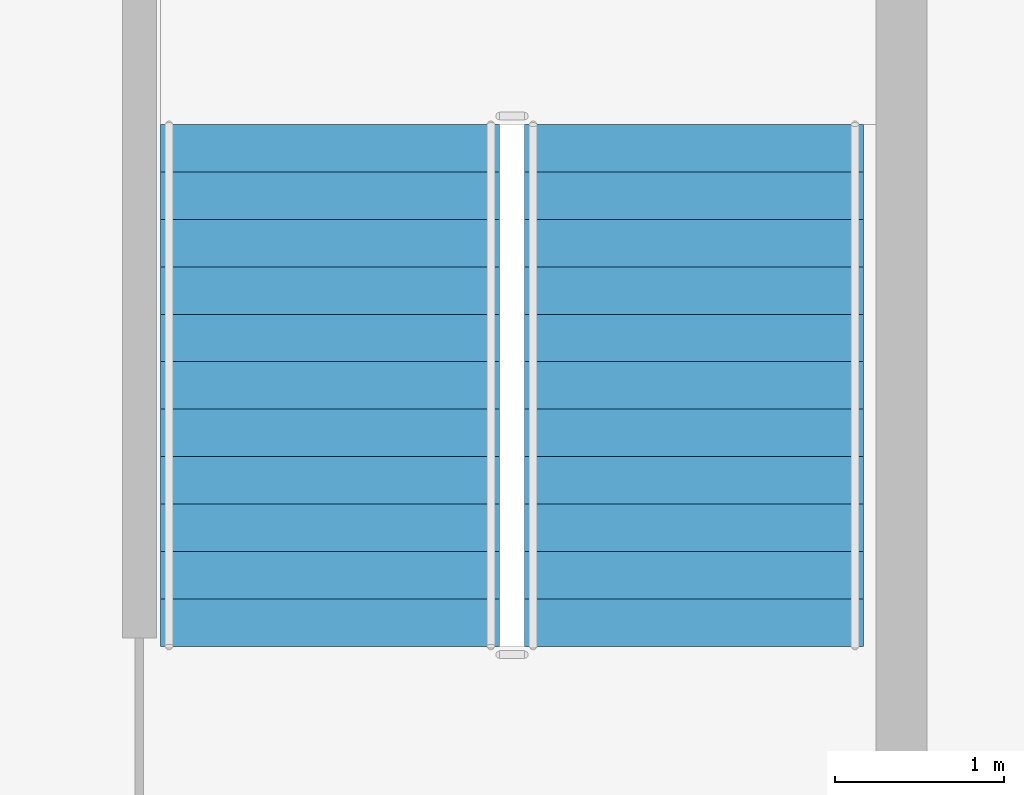
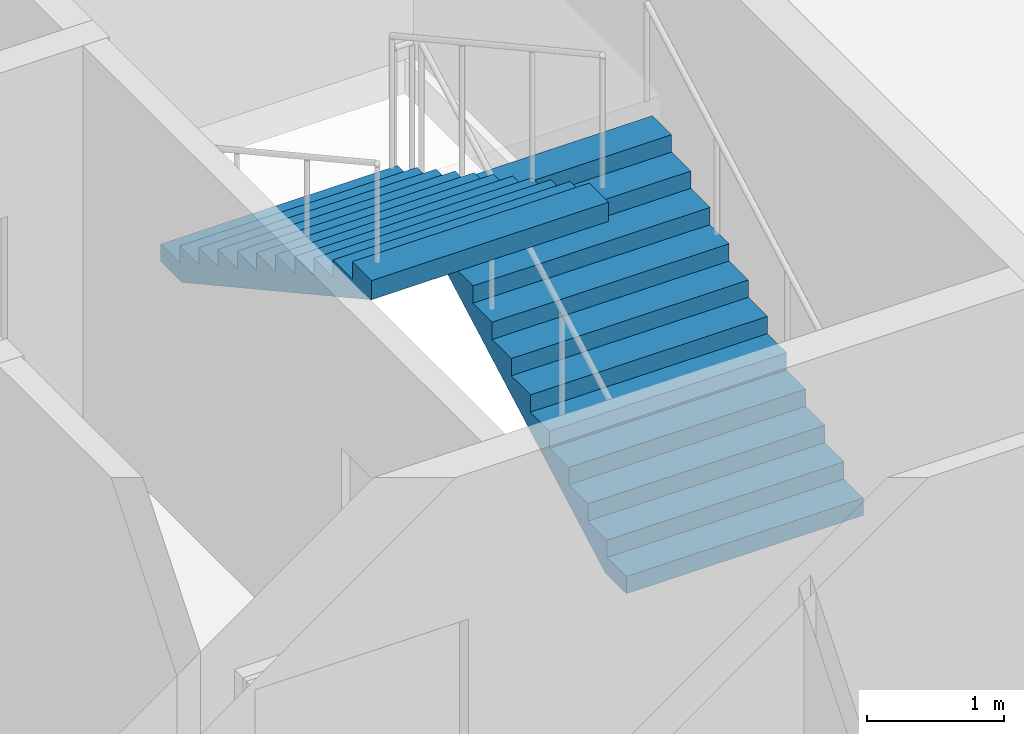
# One storey, part 10 of 12: 2 stair flights, 1 element without a shape of its own.
"""IFC4 building model written with IfcOpenShell, lengths in metres."""

from ifc_helpers import new_model, si_unit, direction, frame, origin, place, context, subcontext, project, spatial, polygons, material, type_object, element, aggregate, save


model = new_model("IFC4")

# Units and contexts
model_context = context("Model", 3, precision=1e-05, world=origin(), true_north=direction((0.0, 1.0)))
body_context = subcontext(model_context, "Body", "Model", "MODEL_VIEW")
ifc_project = project(units=[si_unit("LENGTHUNIT", "METRE"), si_unit("AREAUNIT", "SQUARE_METRE"), si_unit("VOLUMEUNIT", "CUBIC_METRE"), si_unit("PLANEANGLEUNIT", "RADIAN"), si_unit("MASSUNIT", "GRAM", prefix="KILO")], contexts=[model_context])

# Site, building, storey
site_placement = place(None, origin())
site = spatial("IfcSite", under=ifc_project, at=site_placement, CompositionType="ELEMENT")
building_placement = place(site_placement, origin())
building = spatial("IfcBuilding", under=site, at=building_placement, Name="Caravel Reach Hotel and Residences", CompositionType="ELEMENT")
storey_placement = place(building_placement, frame((0.0, 0.0, 199.800048828125)))
storey = spatial("IfcBuildingStorey", under=building, at=storey_placement, Name="L50", CompositionType="ELEMENT", Elevation=199.800048828125)

# Stair, stair flights
ifc_material_1 = material(Name="Concrete C40", Category="concrete")
stair_type = type_object("IfcStairType", Name="Core stair", PredefinedType="HALF_TURN_STAIR", material=ifc_material_1)
stair_placement = place(storey_placement, origin())
stair = element("IfcStair", 1, at=stair_placement, inside=storey, type_object=stair_type, Name="L50 Exit stair B", PredefinedType="HALF_TURN_STAIR")
ifc_material_2 = material(Name="Concrete C40", Category="concrete")
stair_flight_type = type_object("IfcStairFlightType", Name="Core stair flight", PredefinedType="STRAIGHT", material=ifc_material_2)
stair_flight_1_placement = place(storey_placement, frame((43.77490234375, 24.64990234375, 0.0), z_axis=(0.0, 0.0, 1.0), x_axis=(0.0, 1.0, 0.0)))
stair_flight_1 = element("IfcStairFlight", 2, at=stair_flight_1_placement, type_object=stair_flight_type, Name="ST-B flight 1", NumberOfRisers=12, NumberOfTreads=11, PredefinedType="STRAIGHT", RiserHeight=0.154166667, TreadLength=0.28, context=body_context, shape_type="Tessellation", body=[
    polygons([(0.3107950034306102, 1.0, 0.0), (0.3107950034306102, 0.6666666666666667, 0.0), (0.3107950034306102, 0.33333333333333337, 0.0), (0.3107950034306102, 0.0, 0.0), (0.3107950034306102, -0.33333333333333326, 0.0), (0.3107950034306102, -0.6666666666666667, 0.0), (0.3107950034306102, -1.0, 0.0), (3.081, 1.0, 1.524711087717319), (3.081, 0.6666666666666667, 1.524711087717319), (3.081, 0.33333333333333337, 1.524711087717319), (3.081, 0.0, 1.524711087717319), (3.081, -0.33333333333333326, 1.524711087717319), (3.081, -0.6666666666666667, 1.524711087717319), (3.081, -1.0, 1.524711087717319), (3.081, 1.0, 1.695833337), (3.081, 0.6666666666666667, 1.695833337), (3.081, 0.33333333333333337, 1.695833337), (3.081, 0.0, 1.695833337), (3.081, -0.33333333333333326, 1.695833337), (3.081, -0.6666666666666667, 1.695833337), (3.081, -1.0, 1.695833337), (2.8000000000000003, 1.0, 1.695833337), (2.8000000000000003, 0.6666666666666667, 1.695833337), (2.8000000000000003, 0.33333333333333337, 1.695833337), (2.8000000000000003, 0.0, 1.695833337), (2.8000000000000003, -0.33333333333333326, 1.695833337), (2.8000000000000003, -0.6666666666666667, 1.695833337), (2.8000000000000003, -1.0, 1.695833337), (2.8000000000000003, 1.0, 1.5416666700000001), (2.8000000000000003, 0.6666666666666667, 1.5416666700000001), (2.8000000000000003, 0.33333333333333337, 1.5416666700000001), (2.8000000000000003, 0.0, 1.5416666700000001), (2.8000000000000003, -0.33333333333333326, 1.5416666700000001), (2.8000000000000003, -0.6666666666666667, 1.5416666700000001), (2.8000000000000003, -1.0, 1.5416666700000001), (2.5200000000000005, 1.0, 1.5416666700000001), (2.5200000000000005, 0.6666666666666667, 1.5416666700000001), (2.5200000000000005, 0.33333333333333337, 1.5416666700000001), (2.5200000000000005, 0.0, 1.5416666700000001), (2.5200000000000005, -0.33333333333333326, 1.5416666700000001), (2.5200000000000005, -0.6666666666666667, 1.5416666700000001), (2.5200000000000005, -1.0, 1.5416666700000001), (2.5200000000000005, 1.0, 1.387500003), (2.5200000000000005, 0.6666666666666667, 1.387500003), (2.5200000000000005, 0.33333333333333337, 1.387500003), (2.5200000000000005, 0.0, 1.387500003), (2.5200000000000005, -0.33333333333333326, 1.387500003), (2.5200000000000005, -0.6666666666666667, 1.387500003), (2.5200000000000005, -1.0, 1.387500003), (2.24, 1.0, 1.387500003), (2.24, 0.6666666666666667, 1.387500003), (2.24, 0.33333333333333337, 1.387500003), (2.24, 0.0, 1.387500003), (2.24, -0.33333333333333326, 1.387500003), (2.24, -0.6666666666666667, 1.387500003), (2.24, -1.0, 1.387500003), (2.24, 1.0, 1.233333336), (2.24, 0.6666666666666667, 1.233333336), (2.24, 0.33333333333333337, 1.233333336), (2.24, 0.0, 1.233333336), (2.24, -0.33333333333333326, 1.233333336), (2.24, -0.6666666666666667, 1.233333336), (2.24, -1.0, 1.233333336), (1.9600000000000002, 1.0, 1.233333336), (1.9600000000000002, 0.6666666666666667, 1.233333336), (1.9600000000000002, 0.33333333333333337, 1.233333336), (1.9600000000000002, 0.0, 1.233333336), (1.9600000000000002, -0.33333333333333326, 1.233333336), (1.9600000000000002, -0.6666666666666667, 1.233333336), (1.9600000000000002, -1.0, 1.233333336), (1.9600000000000002, 1.0, 1.0791666690000001), (1.9600000000000002, 0.6666666666666667, 1.0791666690000001), (1.9600000000000002, 0.33333333333333337, 1.0791666690000001), (1.9600000000000002, 0.0, 1.0791666690000001), (1.9600000000000002, -0.33333333333333326, 1.0791666690000001), (1.9600000000000002, -0.6666666666666667, 1.0791666690000001), (1.9600000000000002, -1.0, 1.0791666690000001), (1.6800000000000002, 1.0, 1.0791666690000001), (1.6800000000000002, 0.6666666666666667, 1.0791666690000001), (1.6800000000000002, 0.33333333333333337, 1.0791666690000001), (1.6800000000000002, 0.0, 1.0791666690000001), (1.6800000000000002, -0.33333333333333326, 1.0791666690000001), (1.6800000000000002, -0.6666666666666667, 1.0791666690000001), (1.6800000000000002, -1.0, 1.0791666690000001), (1.6800000000000002, 1.0, 0.925000002), (1.6800000000000002, 0.6666666666666667, 0.925000002), (1.6800000000000002, 0.33333333333333337, 0.925000002), (1.6800000000000002, 0.0, 0.925000002), (1.6800000000000002, -0.33333333333333326, 0.925000002), (1.6800000000000002, -0.6666666666666667, 0.925000002), (1.6800000000000002, -1.0, 0.925000002), (1.4000000000000001, 1.0, 0.925000002), (1.4000000000000001, 0.6666666666666667, 0.925000002), (1.4000000000000001, 0.33333333333333337, 0.925000002), (1.4000000000000001, 0.0, 0.925000002), (1.4000000000000001, -0.33333333333333326, 0.925000002), (1.4000000000000001, -0.6666666666666667, 0.925000002), (1.4000000000000001, -1.0, 0.925000002), (1.4000000000000001, 1.0, 0.7708333350000001), (1.4000000000000001, 0.6666666666666667, 0.7708333350000001), (1.4000000000000001, 0.33333333333333337, 0.7708333350000001), (1.4000000000000001, 0.0, 0.7708333350000001), (1.4000000000000001, -0.33333333333333326, 0.7708333350000001), (1.4000000000000001, -0.6666666666666667, 0.7708333350000001), (1.4000000000000001, -1.0, 0.7708333350000001), (1.12, 1.0, 0.7708333350000001), (1.12, 0.6666666666666667, 0.7708333350000001), (1.12, 0.33333333333333337, 0.7708333350000001), (1.12, 0.0, 0.7708333350000001), (1.12, -0.33333333333333326, 0.7708333350000001), (1.12, -0.6666666666666667, 0.7708333350000001), (1.12, -1.0, 0.7708333350000001), (1.12, 1.0, 0.616666668), (1.12, 0.6666666666666667, 0.616666668), (1.12, 0.33333333333333337, 0.616666668), (1.12, 0.0, 0.616666668), (1.12, -0.33333333333333326, 0.616666668), (1.12, -0.6666666666666667, 0.616666668), (1.12, -1.0, 0.616666668), (0.8400000000000001, 1.0, 0.616666668), (0.8400000000000001, 0.6666666666666667, 0.616666668), (0.8400000000000001, 0.33333333333333337, 0.616666668), (0.8400000000000001, 0.0, 0.616666668), (0.8400000000000001, -0.33333333333333326, 0.616666668), (0.8400000000000001, -0.6666666666666667, 0.616666668), (0.8400000000000001, -1.0, 0.616666668), (0.8400000000000001, 1.0, 0.462500001), (0.8400000000000001, 0.6666666666666667, 0.462500001), (0.8400000000000001, 0.33333333333333337, 0.462500001), (0.8400000000000001, 0.0, 0.462500001), (0.8400000000000001, -0.33333333333333326, 0.462500001), (0.8400000000000001, -0.6666666666666667, 0.462500001), (0.8400000000000001, -1.0, 0.462500001), (0.56, 1.0, 0.462500001), (0.56, 0.6666666666666667, 0.462500001), (0.56, 0.33333333333333337, 0.462500001), (0.56, 0.0, 0.462500001), (0.56, -0.33333333333333326, 0.462500001), (0.56, -0.6666666666666667, 0.462500001), (0.56, -1.0, 0.462500001), (0.56, 1.0, 0.308333334), (0.56, 0.6666666666666667, 0.308333334), (0.56, 0.33333333333333337, 0.308333334), (0.56, 0.0, 0.308333334), (0.56, -0.33333333333333326, 0.308333334), (0.56, -0.6666666666666667, 0.308333334), (0.56, -1.0, 0.308333334), (0.28, 1.0, 0.308333334), (0.28, 0.6666666666666667, 0.308333334), (0.28, 0.33333333333333337, 0.308333334), (0.28, 0.0, 0.308333334), (0.28, -0.33333333333333326, 0.308333334), (0.28, -0.6666666666666667, 0.308333334), (0.28, -1.0, 0.308333334), (0.28, 1.0, 0.154166667), (0.28, 0.6666666666666667, 0.154166667), (0.28, 0.33333333333333337, 0.154166667), (0.28, 0.0, 0.154166667), (0.28, -0.33333333333333326, 0.154166667), (0.28, -0.6666666666666667, 0.154166667), (0.28, -1.0, 0.154166667), (-0.001, 1.0, 0.154166667), (-0.001, 0.6666666666666667, 0.154166667), (-0.001, 0.33333333333333337, 0.154166667), (-0.001, 0.0, 0.154166667), (-0.001, -0.33333333333333326, 0.154166667), (-0.001, -0.6666666666666667, 0.154166667), (-0.001, -1.0, 0.154166667), (-0.001, 1.0, 0.0), (-0.001, 0.6666666666666667, 0.0), (-0.001, 0.33333333333333337, 0.0), (-0.001, 0.0, 0.0), (-0.001, -0.33333333333333326, 0.0), (-0.001, -0.6666666666666667, 0.0), (-0.001, -1.0, 0.0)], [[[169, 162, 155, 148, 141, 134, 127, 120, 113, 106, 99, 92, 85, 78, 71, 64, 57, 50, 43, 36, 29, 22, 15, 8, 1]], [[7, 14, 21, 28, 35, 42, 49, 56, 63, 70, 77, 84, 91, 98, 105, 112, 119, 126, 133, 140, 147, 154, 161, 168, 175]], [[1, 8, 9, 2]], [[2, 9, 10, 3]], [[3, 10, 11, 4]], [[4, 11, 12, 5]], [[5, 12, 13, 6]], [[6, 13, 14, 7]], [[8, 15, 16, 9]], [[9, 16, 17, 10]], [[10, 17, 18, 11]], [[11, 18, 19, 12]], [[12, 19, 20, 13]], [[13, 20, 21, 14]], [[15, 22, 23, 16]], [[16, 23, 24, 17]], [[17, 24, 25, 18]], [[18, 25, 26, 19]], [[19, 26, 27, 20]], [[20, 27, 28, 21]], [[22, 29, 30, 23]], [[23, 30, 31, 24]], [[24, 31, 32, 25]], [[25, 32, 33, 26]], [[26, 33, 34, 27]], [[27, 34, 35, 28]], [[29, 36, 37, 30]], [[30, 37, 38, 31]], [[31, 38, 39, 32]], [[32, 39, 40, 33]], [[33, 40, 41, 34]], [[34, 41, 42, 35]], [[36, 43, 44, 37]], [[37, 44, 45, 38]], [[38, 45, 46, 39]], [[39, 46, 47, 40]], [[40, 47, 48, 41]], [[41, 48, 49, 42]], [[43, 50, 51, 44]], [[44, 51, 52, 45]], [[45, 52, 53, 46]], [[46, 53, 54, 47]], [[47, 54, 55, 48]], [[48, 55, 56, 49]], [[50, 57, 58, 51]], [[51, 58, 59, 52]], [[52, 59, 60, 53]], [[53, 60, 61, 54]], [[54, 61, 62, 55]], [[55, 62, 63, 56]], [[57, 64, 65, 58]], [[58, 65, 66, 59]], [[59, 66, 67, 60]], [[60, 67, 68, 61]], [[61, 68, 69, 62]], [[62, 69, 70, 63]], [[64, 71, 72, 65]], [[65, 72, 73, 66]], [[66, 73, 74, 67]], [[67, 74, 75, 68]], [[68, 75, 76, 69]], [[69, 76, 77, 70]], [[71, 78, 79, 72]], [[72, 79, 80, 73]], [[73, 80, 81, 74]], [[74, 81, 82, 75]], [[75, 82, 83, 76]], [[76, 83, 84, 77]], [[78, 85, 86, 79]], [[79, 86, 87, 80]], [[80, 87, 88, 81]], [[81, 88, 89, 82]], [[82, 89, 90, 83]], [[83, 90, 91, 84]], [[85, 92, 93, 86]], [[86, 93, 94, 87]], [[87, 94, 95, 88]], [[88, 95, 96, 89]], [[89, 96, 97, 90]], [[90, 97, 98, 91]], [[92, 99, 100, 93]], [[93, 100, 101, 94]], [[94, 101, 102, 95]], [[95, 102, 103, 96]], [[96, 103, 104, 97]], [[97, 104, 105, 98]], [[99, 106, 107, 100]], [[100, 107, 108, 101]], [[101, 108, 109, 102]], [[102, 109, 110, 103]], [[103, 110, 111, 104]], [[104, 111, 112, 105]], [[106, 113, 114, 107]], [[107, 114, 115, 108]], [[108, 115, 116, 109]], [[109, 116, 117, 110]], [[110, 117, 118, 111]], [[111, 118, 119, 112]], [[113, 120, 121, 114]], [[114, 121, 122, 115]], [[115, 122, 123, 116]], [[116, 123, 124, 117]], [[117, 124, 125, 118]], [[118, 125, 126, 119]], [[120, 127, 128, 121]], [[121, 128, 129, 122]], [[122, 129, 130, 123]], [[123, 130, 131, 124]], [[124, 131, 132, 125]], [[125, 132, 133, 126]], [[127, 134, 135, 128]], [[128, 135, 136, 129]], [[129, 136, 137, 130]], [[130, 137, 138, 131]], [[131, 138, 139, 132]], [[132, 139, 140, 133]], [[134, 141, 142, 135]], [[135, 142, 143, 136]], [[136, 143, 144, 137]], [[137, 144, 145, 138]], [[138, 145, 146, 139]], [[139, 146, 147, 140]], [[141, 148, 149, 142]], [[142, 149, 150, 143]], [[143, 150, 151, 144]], [[144, 151, 152, 145]], [[145, 152, 153, 146]], [[146, 153, 154, 147]], [[148, 155, 156, 149]], [[149, 156, 157, 150]], [[150, 157, 158, 151]], [[151, 158, 159, 152]], [[152, 159, 160, 153]], [[153, 160, 161, 154]], [[155, 162, 163, 156]], [[156, 163, 164, 157]], [[157, 164, 165, 158]], [[158, 165, 166, 159]], [[159, 166, 167, 160]], [[160, 167, 168, 161]], [[162, 169, 170, 163]], [[163, 170, 171, 164]], [[164, 171, 172, 165]], [[165, 172, 173, 166]], [[166, 173, 174, 167]], [[167, 174, 175, 168]], [[169, 1, 2, 170]], [[170, 2, 3, 171]], [[171, 3, 4, 172]], [[172, 4, 5, 173]], [[173, 5, 6, 174]], [[174, 6, 7, 175]]], closed=True),
])
stair_flight_2_placement = place(storey_placement, frame((41.625, 27.72998046875, 1.849853515625), z_axis=(0.0, 0.0, 1.0), x_axis=(0.0, -1.0, 0.0)))
stair_flight_2 = element("IfcStairFlight", 3, at=stair_flight_2_placement, type_object=stair_flight_type, Name="ST-B flight 2", NumberOfRisers=12, NumberOfTreads=11, PredefinedType="STRAIGHT", RiserHeight=0.154166667, TreadLength=0.28, context=body_context, shape_type="Tessellation", body=[
    polygons([(0.3107950034306102, 1.0, 0.0), (0.3107950034306102, 0.6666666666666667, 0.0), (0.3107950034306102, 0.33333333333333337, 0.0), (0.3107950034306102, 0.0, 0.0), (0.3107950034306102, -0.33333333333333326, 0.0), (0.3107950034306102, -0.6666666666666667, 0.0), (0.3107950034306102, -1.0, 0.0), (3.081, 1.0, 1.524711087717319), (3.081, 0.6666666666666667, 1.524711087717319), (3.081, 0.33333333333333337, 1.524711087717319), (3.081, 0.0, 1.524711087717319), (3.081, -0.33333333333333326, 1.524711087717319), (3.081, -0.6666666666666667, 1.524711087717319), (3.081, -1.0, 1.524711087717319), (3.081, 1.0, 1.695833337), (3.081, 0.6666666666666667, 1.695833337), (3.081, 0.33333333333333337, 1.695833337), (3.081, 0.0, 1.695833337), (3.081, -0.33333333333333326, 1.695833337), (3.081, -0.6666666666666667, 1.695833337), (3.081, -1.0, 1.695833337), (2.8000000000000003, 1.0, 1.695833337), (2.8000000000000003, 0.6666666666666667, 1.695833337), (2.8000000000000003, 0.33333333333333337, 1.695833337), (2.8000000000000003, 0.0, 1.695833337), (2.8000000000000003, -0.33333333333333326, 1.695833337), (2.8000000000000003, -0.6666666666666667, 1.695833337), (2.8000000000000003, -1.0, 1.695833337), (2.8000000000000003, 1.0, 1.5416666700000001), (2.8000000000000003, 0.6666666666666667, 1.5416666700000001), (2.8000000000000003, 0.33333333333333337, 1.5416666700000001), (2.8000000000000003, 0.0, 1.5416666700000001), (2.8000000000000003, -0.33333333333333326, 1.5416666700000001), (2.8000000000000003, -0.6666666666666667, 1.5416666700000001), (2.8000000000000003, -1.0, 1.5416666700000001), (2.5200000000000005, 1.0, 1.5416666700000001), (2.5200000000000005, 0.6666666666666667, 1.5416666700000001), (2.5200000000000005, 0.33333333333333337, 1.5416666700000001), (2.5200000000000005, 0.0, 1.5416666700000001), (2.5200000000000005, -0.33333333333333326, 1.5416666700000001), (2.5200000000000005, -0.6666666666666667, 1.5416666700000001), (2.5200000000000005, -1.0, 1.5416666700000001), (2.5200000000000005, 1.0, 1.387500003), (2.5200000000000005, 0.6666666666666667, 1.387500003), (2.5200000000000005, 0.33333333333333337, 1.387500003), (2.5200000000000005, 0.0, 1.387500003), (2.5200000000000005, -0.33333333333333326, 1.387500003), (2.5200000000000005, -0.6666666666666667, 1.387500003), (2.5200000000000005, -1.0, 1.387500003), (2.24, 1.0, 1.387500003), (2.24, 0.6666666666666667, 1.387500003), (2.24, 0.33333333333333337, 1.387500003), (2.24, 0.0, 1.387500003), (2.24, -0.33333333333333326, 1.387500003), (2.24, -0.6666666666666667, 1.387500003), (2.24, -1.0, 1.387500003), (2.24, 1.0, 1.233333336), (2.24, 0.6666666666666667, 1.233333336), (2.24, 0.33333333333333337, 1.233333336), (2.24, 0.0, 1.233333336), (2.24, -0.33333333333333326, 1.233333336), (2.24, -0.6666666666666667, 1.233333336), (2.24, -1.0, 1.233333336), (1.9600000000000002, 1.0, 1.233333336), (1.9600000000000002, 0.6666666666666667, 1.233333336), (1.9600000000000002, 0.33333333333333337, 1.233333336), (1.9600000000000002, 0.0, 1.233333336), (1.9600000000000002, -0.33333333333333326, 1.233333336), (1.9600000000000002, -0.6666666666666667, 1.233333336), (1.9600000000000002, -1.0, 1.233333336), (1.9600000000000002, 1.0, 1.0791666690000001), (1.9600000000000002, 0.6666666666666667, 1.0791666690000001), (1.9600000000000002, 0.33333333333333337, 1.0791666690000001), (1.9600000000000002, 0.0, 1.0791666690000001), (1.9600000000000002, -0.33333333333333326, 1.0791666690000001), (1.9600000000000002, -0.6666666666666667, 1.0791666690000001), (1.9600000000000002, -1.0, 1.0791666690000001), (1.6800000000000002, 1.0, 1.0791666690000001), (1.6800000000000002, 0.6666666666666667, 1.0791666690000001), (1.6800000000000002, 0.33333333333333337, 1.0791666690000001), (1.6800000000000002, 0.0, 1.0791666690000001), (1.6800000000000002, -0.33333333333333326, 1.0791666690000001), (1.6800000000000002, -0.6666666666666667, 1.0791666690000001), (1.6800000000000002, -1.0, 1.0791666690000001), (1.6800000000000002, 1.0, 0.925000002), (1.6800000000000002, 0.6666666666666667, 0.925000002), (1.6800000000000002, 0.33333333333333337, 0.925000002), (1.6800000000000002, 0.0, 0.925000002), (1.6800000000000002, -0.33333333333333326, 0.925000002), (1.6800000000000002, -0.6666666666666667, 0.925000002), (1.6800000000000002, -1.0, 0.925000002), (1.4000000000000001, 1.0, 0.925000002), (1.4000000000000001, 0.6666666666666667, 0.925000002), (1.4000000000000001, 0.33333333333333337, 0.925000002), (1.4000000000000001, 0.0, 0.925000002), (1.4000000000000001, -0.33333333333333326, 0.925000002), (1.4000000000000001, -0.6666666666666667, 0.925000002), (1.4000000000000001, -1.0, 0.925000002), (1.4000000000000001, 1.0, 0.7708333350000001), (1.4000000000000001, 0.6666666666666667, 0.7708333350000001), (1.4000000000000001, 0.33333333333333337, 0.7708333350000001), (1.4000000000000001, 0.0, 0.7708333350000001), (1.4000000000000001, -0.33333333333333326, 0.7708333350000001), (1.4000000000000001, -0.6666666666666667, 0.7708333350000001), (1.4000000000000001, -1.0, 0.7708333350000001), (1.12, 1.0, 0.7708333350000001), (1.12, 0.6666666666666667, 0.7708333350000001), (1.12, 0.33333333333333337, 0.7708333350000001), (1.12, 0.0, 0.7708333350000001), (1.12, -0.33333333333333326, 0.7708333350000001), (1.12, -0.6666666666666667, 0.7708333350000001), (1.12, -1.0, 0.7708333350000001), (1.12, 1.0, 0.616666668), (1.12, 0.6666666666666667, 0.616666668), (1.12, 0.33333333333333337, 0.616666668), (1.12, 0.0, 0.616666668), (1.12, -0.33333333333333326, 0.616666668), (1.12, -0.6666666666666667, 0.616666668), (1.12, -1.0, 0.616666668), (0.8400000000000001, 1.0, 0.616666668), (0.8400000000000001, 0.6666666666666667, 0.616666668), (0.8400000000000001, 0.33333333333333337, 0.616666668), (0.8400000000000001, 0.0, 0.616666668), (0.8400000000000001, -0.33333333333333326, 0.616666668), (0.8400000000000001, -0.6666666666666667, 0.616666668), (0.8400000000000001, -1.0, 0.616666668), (0.8400000000000001, 1.0, 0.462500001), (0.8400000000000001, 0.6666666666666667, 0.462500001), (0.8400000000000001, 0.33333333333333337, 0.462500001), (0.8400000000000001, 0.0, 0.462500001), (0.8400000000000001, -0.33333333333333326, 0.462500001), (0.8400000000000001, -0.6666666666666667, 0.462500001), (0.8400000000000001, -1.0, 0.462500001), (0.56, 1.0, 0.462500001), (0.56, 0.6666666666666667, 0.462500001), (0.56, 0.33333333333333337, 0.462500001), (0.56, 0.0, 0.462500001), (0.56, -0.33333333333333326, 0.462500001), (0.56, -0.6666666666666667, 0.462500001), (0.56, -1.0, 0.462500001), (0.56, 1.0, 0.308333334), (0.56, 0.6666666666666667, 0.308333334), (0.56, 0.33333333333333337, 0.308333334), (0.56, 0.0, 0.308333334), (0.56, -0.33333333333333326, 0.308333334), (0.56, -0.6666666666666667, 0.308333334), (0.56, -1.0, 0.308333334), (0.28, 1.0, 0.308333334), (0.28, 0.6666666666666667, 0.308333334), (0.28, 0.33333333333333337, 0.308333334), (0.28, 0.0, 0.308333334), (0.28, -0.33333333333333326, 0.308333334), (0.28, -0.6666666666666667, 0.308333334), (0.28, -1.0, 0.308333334), (0.28, 1.0, 0.154166667), (0.28, 0.6666666666666667, 0.154166667), (0.28, 0.33333333333333337, 0.154166667), (0.28, 0.0, 0.154166667), (0.28, -0.33333333333333326, 0.154166667), (0.28, -0.6666666666666667, 0.154166667), (0.28, -1.0, 0.154166667), (-0.001, 1.0, 0.154166667), (-0.001, 0.6666666666666667, 0.154166667), (-0.001, 0.33333333333333337, 0.154166667), (-0.001, 0.0, 0.154166667), (-0.001, -0.33333333333333326, 0.154166667), (-0.001, -0.6666666666666667, 0.154166667), (-0.001, -1.0, 0.154166667), (-0.001, 1.0, 0.0), (-0.001, 0.6666666666666667, 0.0), (-0.001, 0.33333333333333337, 0.0), (-0.001, 0.0, 0.0), (-0.001, -0.33333333333333326, 0.0), (-0.001, -0.6666666666666667, 0.0), (-0.001, -1.0, 0.0)], [[[169, 162, 155, 148, 141, 134, 127, 120, 113, 106, 99, 92, 85, 78, 71, 64, 57, 50, 43, 36, 29, 22, 15, 8, 1]], [[7, 14, 21, 28, 35, 42, 49, 56, 63, 70, 77, 84, 91, 98, 105, 112, 119, 126, 133, 140, 147, 154, 161, 168, 175]], [[1, 8, 9, 2]], [[2, 9, 10, 3]], [[3, 10, 11, 4]], [[4, 11, 12, 5]], [[5, 12, 13, 6]], [[6, 13, 14, 7]], [[8, 15, 16, 9]], [[9, 16, 17, 10]], [[10, 17, 18, 11]], [[11, 18, 19, 12]], [[12, 19, 20, 13]], [[13, 20, 21, 14]], [[15, 22, 23, 16]], [[16, 23, 24, 17]], [[17, 24, 25, 18]], [[18, 25, 26, 19]], [[19, 26, 27, 20]], [[20, 27, 28, 21]], [[22, 29, 30, 23]], [[23, 30, 31, 24]], [[24, 31, 32, 25]], [[25, 32, 33, 26]], [[26, 33, 34, 27]], [[27, 34, 35, 28]], [[29, 36, 37, 30]], [[30, 37, 38, 31]], [[31, 38, 39, 32]], [[32, 39, 40, 33]], [[33, 40, 41, 34]], [[34, 41, 42, 35]], [[36, 43, 44, 37]], [[37, 44, 45, 38]], [[38, 45, 46, 39]], [[39, 46, 47, 40]], [[40, 47, 48, 41]], [[41, 48, 49, 42]], [[43, 50, 51, 44]], [[44, 51, 52, 45]], [[45, 52, 53, 46]], [[46, 53, 54, 47]], [[47, 54, 55, 48]], [[48, 55, 56, 49]], [[50, 57, 58, 51]], [[51, 58, 59, 52]], [[52, 59, 60, 53]], [[53, 60, 61, 54]], [[54, 61, 62, 55]], [[55, 62, 63, 56]], [[57, 64, 65, 58]], [[58, 65, 66, 59]], [[59, 66, 67, 60]], [[60, 67, 68, 61]], [[61, 68, 69, 62]], [[62, 69, 70, 63]], [[64, 71, 72, 65]], [[65, 72, 73, 66]], [[66, 73, 74, 67]], [[67, 74, 75, 68]], [[68, 75, 76, 69]], [[69, 76, 77, 70]], [[71, 78, 79, 72]], [[72, 79, 80, 73]], [[73, 80, 81, 74]], [[74, 81, 82, 75]], [[75, 82, 83, 76]], [[76, 83, 84, 77]], [[78, 85, 86, 79]], [[79, 86, 87, 80]], [[80, 87, 88, 81]], [[81, 88, 89, 82]], [[82, 89, 90, 83]], [[83, 90, 91, 84]], [[85, 92, 93, 86]], [[86, 93, 94, 87]], [[87, 94, 95, 88]], [[88, 95, 96, 89]], [[89, 96, 97, 90]], [[90, 97, 98, 91]], [[92, 99, 100, 93]], [[93, 100, 101, 94]], [[94, 101, 102, 95]], [[95, 102, 103, 96]], [[96, 103, 104, 97]], [[97, 104, 105, 98]], [[99, 106, 107, 100]], [[100, 107, 108, 101]], [[101, 108, 109, 102]], [[102, 109, 110, 103]], [[103, 110, 111, 104]], [[104, 111, 112, 105]], [[106, 113, 114, 107]], [[107, 114, 115, 108]], [[108, 115, 116, 109]], [[109, 116, 117, 110]], [[110, 117, 118, 111]], [[111, 118, 119, 112]], [[113, 120, 121, 114]], [[114, 121, 122, 115]], [[115, 122, 123, 116]], [[116, 123, 124, 117]], [[117, 124, 125, 118]], [[118, 125, 126, 119]], [[120, 127, 128, 121]], [[121, 128, 129, 122]], [[122, 129, 130, 123]], [[123, 130, 131, 124]], [[124, 131, 132, 125]], [[125, 132, 133, 126]], [[127, 134, 135, 128]], [[128, 135, 136, 129]], [[129, 136, 137, 130]], [[130, 137, 138, 131]], [[131, 138, 139, 132]], [[132, 139, 140, 133]], [[134, 141, 142, 135]], [[135, 142, 143, 136]], [[136, 143, 144, 137]], [[137, 144, 145, 138]], [[138, 145, 146, 139]], [[139, 146, 147, 140]], [[141, 148, 149, 142]], [[142, 149, 150, 143]], [[143, 150, 151, 144]], [[144, 151, 152, 145]], [[145, 152, 153, 146]], [[146, 153, 154, 147]], [[148, 155, 156, 149]], [[149, 156, 157, 150]], [[150, 157, 158, 151]], [[151, 158, 159, 152]], [[152, 159, 160, 153]], [[153, 160, 161, 154]], [[155, 162, 163, 156]], [[156, 163, 164, 157]], [[157, 164, 165, 158]], [[158, 165, 166, 159]], [[159, 166, 167, 160]], [[160, 167, 168, 161]], [[162, 169, 170, 163]], [[163, 170, 171, 164]], [[164, 171, 172, 165]], [[165, 172, 173, 166]], [[166, 173, 174, 167]], [[167, 174, 175, 168]], [[169, 1, 2, 170]], [[170, 2, 3, 171]], [[171, 3, 4, 172]], [[172, 4, 5, 173]], [[173, 5, 6, 174]], [[174, 6, 7, 175]]], closed=True),
])
aggregate(stair, [stair_flight_1, stair_flight_2])

save(model, "model.ifc")
